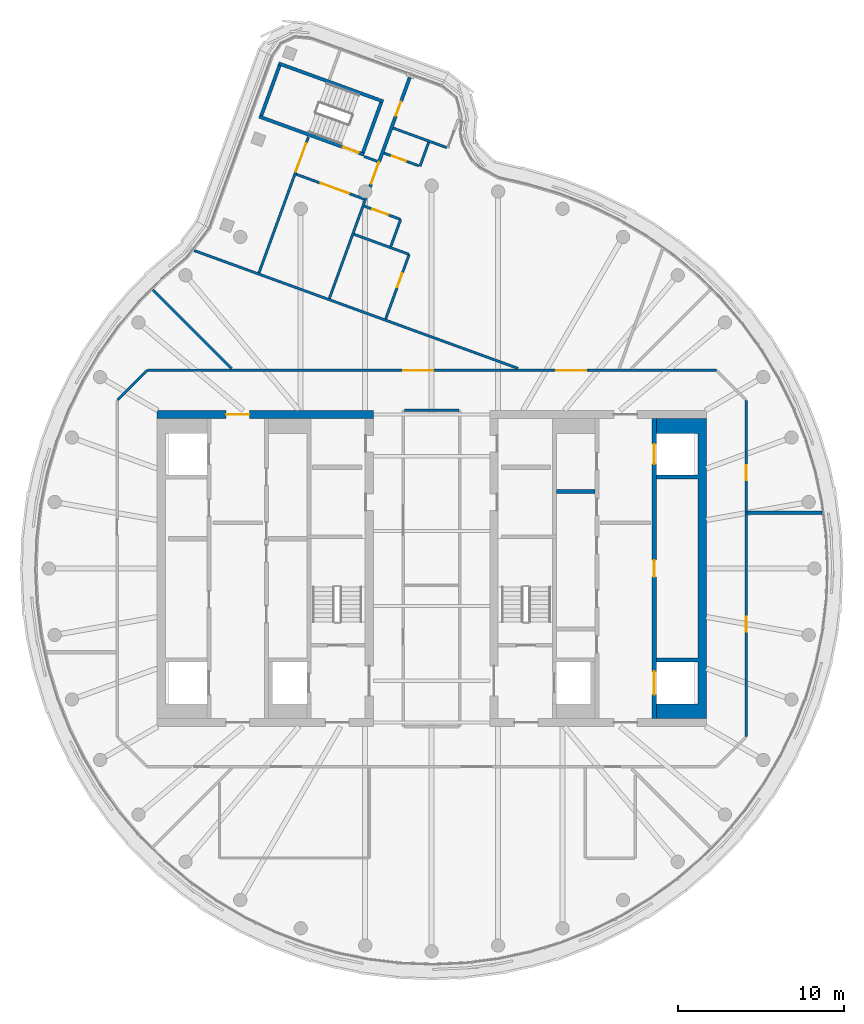
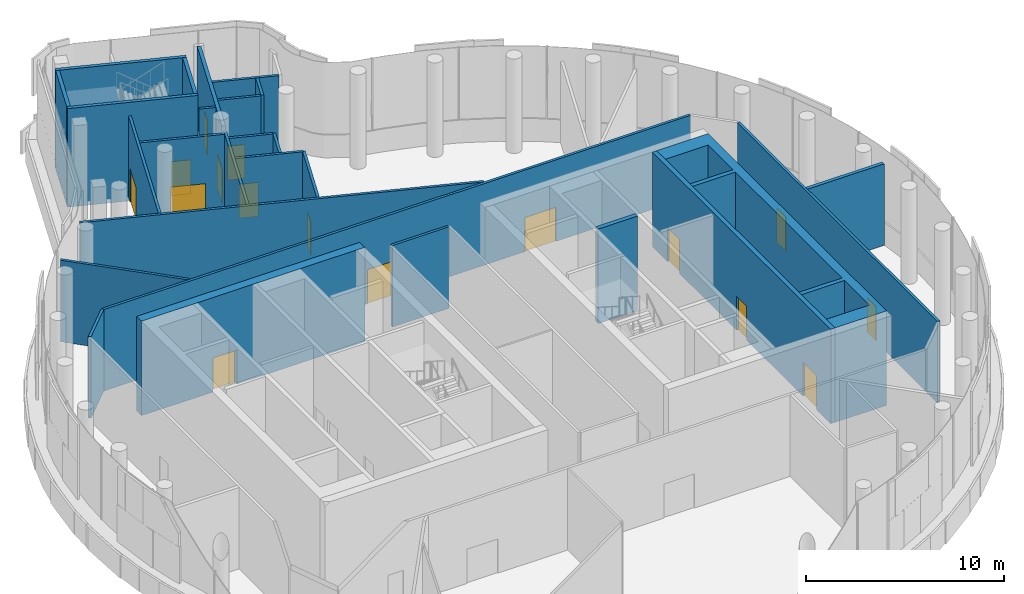
# One storey, part 13 of 18: 27 walls, 16 doors, 16 openings.
"""IFC4 building model written with IfcOpenShell, lengths in metres."""

from ifc_helpers import new_model, si_unit, direction, frame, frame_2d, origin, place, context, subcontext, project, spatial, polyline, rectangle, outline, extrude, material, layer, layer_set, type_object, element, fill, save


model = new_model("IFC4")

# Units and contexts
model_context = context("Model", 3, precision=1e-05, world=origin(), true_north=direction((0.0, 1.0)))
body_context = subcontext(model_context, "Body", "Model", "MODEL_VIEW")
ifc_project = project(units=[si_unit("LENGTHUNIT", "METRE"), si_unit("AREAUNIT", "SQUARE_METRE"), si_unit("VOLUMEUNIT", "CUBIC_METRE"), si_unit("PLANEANGLEUNIT", "RADIAN"), si_unit("MASSUNIT", "GRAM", prefix="KILO")], contexts=[model_context])

# Site, building, storey
site_placement = place(None, origin())
site = spatial("IfcSite", under=ifc_project, at=site_placement, CompositionType="ELEMENT")
building_placement = place(site_placement, origin())
building = spatial("IfcBuilding", under=site, at=building_placement, Name="Tamarind Cross Interchange Tower", CompositionType="ELEMENT")
storey_placement = place(building_placement, frame((0.0, 0.0, 299.39990234375)))
storey = spatial("IfcBuildingStorey", under=building, at=storey_placement, Name="L74", CompositionType="ELEMENT", Elevation=299.39990234375)

# Wall, opening, door
ifc_material_1 = material(Name="Concrete C50", Category="concrete")
ifc_layer_1 = layer(ifc_material_1, 0.5)
ifc_layer_set_1 = layer_set([ifc_layer_1], Name="Concrete C50")
wall_type_1 = type_object("IfcWallType", Name="Core wall 500 mm Concrete C50", PredefinedType="SHEAR", material=ifc_layer_set_1)
wall_1_placement = place(storey_placement, frame((-16.5, 9.25, 0.0), z_axis=(0.0, 0.0, 1.0), x_axis=(1.0, 0.0, 0.0)))
wall_1 = element("IfcWall", 1, at=wall_1_placement, inside=storey, type_object=wall_type_1, Name="Core wall CWL-L74-W-N", PredefinedType="SHEAR", context=body_context, shape_type="SweptSolid", body=[
    extrude(rectangle(XDim=13.0, YDim=0.5, at=frame_2d((6.5, 0.0))), origin(), (0.0, 0.0, 1.0), 5.820068359375),
])
opening_1_placement = place(wall_1_placement, frame((4.14990234375, 0.0, 0.0)))
opening_1 = element("IfcOpeningElement", 2, at=opening_1_placement, cuts=wall_1, Name="Opening DCW3", PredefinedType="OPENING", context=body_context, shape_type="SweptSolid", body=[
    extrude(rectangle(XDim=1.39990234375, YDim=2.10009765625, at=frame_2d((0.699951171875, 1.050048828125))), frame((0.0, 0.260009765625, 0.0), z_axis=(0.0, -1.0, 0.0), x_axis=(1.0, 0.0, 0.0)), (0.0, 0.0, 1.0), 0.52001953125),
])
ifc_material_2 = material(Name="Steel, fire-resisting", Category="steel")
door_type_1 = type_object("IfcDoorType", Name="Core fire door 1400 x 2100 FD90", OperationType="SINGLE_SWING_LEFT", PredefinedType="DOOR", material=ifc_material_2)
door_1_placement = place(opening_1_placement, origin())
door_1 = element("IfcDoor", 3, at=door_1_placement, inside=storey, type_object=door_type_1, Name="L74 observation lobby door", OperationType="SINGLE_SWING_LEFT", OverallHeight=2.10009765625, OverallWidth=1.39990234375, PredefinedType="DOOR", context=body_context, shape_type="SweptSolid", body=[
    extrude(rectangle(XDim=1.39990234375, YDim=2.10009765625, at=frame_2d((0.699951171875, 1.050048828125))), frame((0.0, 0.02490234375, 0.0), z_axis=(0.0, -1.0, 0.0), x_axis=(1.0, 0.0, 0.0)), (0.0, 0.0, 1.0), 0.050048828125),
])
fill(opening_1, door_1)

# Wall
wall_2_placement = place(storey_placement, origin())
element("IfcWall", 4, at=wall_2_placement, inside=storey, type_object=wall_type_1, Name="Core wall CWL-L74-E-A", PredefinedType="SHEAR", context=body_context, shape_type="SweptSolid", body=[
    extrude(outline(polyline([(13.5, -8.125), (13.5, -9.0), (16.0, -9.0), (16.5, -9.0), (16.5, 9.0), (16.0, 9.0), (13.5, 9.0), (13.5, 8.125), (16.0, 8.125), (16.0, 5.625), (13.5, 5.625), (13.5, 5.375), (16.0, 5.375), (16.0, -5.375), (13.5, -5.375), (13.5, -5.625), (16.0, -5.625), (16.0, -8.125), (13.5, -8.125)])), origin(), (0.0, 0.0, 1.0), 5.820068359375),
])

# Wall, openings, doors
ifc_layer_2 = layer(ifc_material_1, 0.25)
ifc_layer_set_2 = layer_set([ifc_layer_2], Name="Concrete C50")
wall_type_2 = type_object("IfcWallType", Name="Core web wall 250 mm Concrete C50", PredefinedType="SHEAR", material=ifc_layer_set_2)
wall_3_placement = place(storey_placement, frame((13.375, -9.0, 0.0), z_axis=(0.0, 0.0, 1.0), x_axis=(0.0, 1.0, 0.0)))
wall_3 = element("IfcWall", 5, at=wall_3_placement, inside=storey, type_object=wall_type_2, Name="Core wall CWL-L74-E-LA", PredefinedType="SHEAR", context=body_context, shape_type="SweptSolid", body=[
    extrude(rectangle(XDim=18.0, YDim=0.25, at=frame_2d((9.0, 0.0))), origin(), (0.0, 0.0, 1.0), 5.820068359375),
])
opening_2_placement = place(wall_3_placement, frame((1.425048828125, 0.0, 0.0)))
opening_2 = element("IfcOpeningElement", 6, at=opening_2_placement, cuts=wall_3, Name="Opening LD13L74", PredefinedType="OPENING", context=body_context, shape_type="SweptSolid", body=[
    extrude(rectangle(XDim=1.39990234375, YDim=2.10009765625, at=frame_2d((0.699951171875, 1.050048828125))), frame((0.0, 0.135009765625, 0.0), z_axis=(0.0, -1.0, 0.0), x_axis=(1.0, 0.0, 0.0)), (0.0, 0.0, 1.0), 0.27001953125),
])
opening_3_placement = place(wall_3_placement, frame((15.27490234375, 0.0, 0.0)))
opening_3 = element("IfcOpeningElement", 7, at=opening_3_placement, cuts=wall_3, Name="Opening LD18L74", PredefinedType="OPENING", context=body_context, shape_type="SweptSolid", body=[
    extrude(rectangle(XDim=1.199951171875, YDim=2.10009765625, at=frame_2d((0.60009765625, 1.050048828125))), frame((0.0, 0.135009765625, 0.0), z_axis=(0.0, -1.0, 0.0), x_axis=(1.0, 0.0, 0.0)), (0.0, 0.0, 1.0), 0.27001953125),
])
opening_4_placement = place(wall_3_placement, frame((8.5, 0.0, 0.0)))
opening_4 = element("IfcOpeningElement", 8, at=opening_4_placement, cuts=wall_3, Name="Opening DCE9", PredefinedType="OPENING", context=body_context, shape_type="SweptSolid", body=[
    extrude(rectangle(XDim=1.0, YDim=2.10009765625, at=frame_2d((0.5, 1.050048828125))), frame((0.0, 0.135009765625, 0.0), z_axis=(0.0, -1.0, 0.0), x_axis=(1.0, 0.0, 0.0)), (0.0, 0.0, 1.0), 0.27001953125),
])
door_type_2 = type_object("IfcDoorType", Name="Core fire door 1000 x 2100 FD90", OperationType="SINGLE_SWING_LEFT", PredefinedType="DOOR", material=ifc_material_2)
door_2_placement = place(opening_4_placement, origin())
door_2 = element("IfcDoor", 9, at=door_2_placement, inside=storey, type_object=door_type_2, Name="L74 Guide's room door", OperationType="SINGLE_SWING_LEFT", OverallHeight=2.10009765625, OverallWidth=1.0, PredefinedType="DOOR", context=body_context, shape_type="SweptSolid", body=[
    extrude(rectangle(XDim=1.0, YDim=2.10009765625, at=frame_2d((0.5, 1.050048828125))), frame((0.0, 0.02490234375, 0.0), z_axis=(0.0, -1.0, 0.0), x_axis=(1.0, 0.0, 0.0)), (0.0, 0.0, 1.0), 0.050048828125),
])
fill(opening_4, door_2)
ifc_material_3 = material(Name="Stainless steel panel", Category="steel")
door_type_3 = type_object("IfcDoorType", Name="Lift landing door 1200 x 2100 E 120", OperationType="SLIDING_TO_LEFT", PredefinedType="DOOR", material=ifc_material_3)
door_3_placement = place(opening_3_placement, origin())
door_3 = element("IfcDoor", 10, at=door_3_placement, inside=storey, type_object=door_type_3, Name="L74 landing door LF18", OperationType="SLIDING_TO_LEFT", OverallHeight=2.10009765625, OverallWidth=1.199951171875, PredefinedType="DOOR", context=body_context, shape_type="SweptSolid", body=[
    extrude(rectangle(XDim=1.199951171875, YDim=2.10009765625, at=frame_2d((0.60009765625, 1.050048828125))), frame((0.0, 0.02490234375, 0.0), z_axis=(0.0, -1.0, 0.0), x_axis=(1.0, 0.0, 0.0)), (0.0, 0.0, 1.0), 0.050048828125),
])
fill(opening_3, door_3)
door_type_4 = type_object("IfcDoorType", Name="Lift landing door 1400 x 2100 E 120", OperationType="SLIDING_TO_LEFT", PredefinedType="DOOR", material=ifc_material_3)
door_4_placement = place(opening_2_placement, origin())
door_4 = element("IfcDoor", 11, at=door_4_placement, inside=storey, type_object=door_type_4, Name="L74 landing door LF13", OperationType="SLIDING_TO_LEFT", OverallHeight=2.10009765625, OverallWidth=1.39990234375, PredefinedType="DOOR", context=body_context, shape_type="SweptSolid", body=[
    extrude(rectangle(XDim=1.39990234375, YDim=2.10009765625, at=frame_2d((0.699951171875, 1.050048828125))), frame((0.0, 0.02490234375, 0.0), z_axis=(0.0, -1.0, 0.0), x_axis=(1.0, 0.0, 0.0)), (0.0, 0.0, 1.0), 0.050048828125),
])
fill(opening_2, door_4)

# Walls
ifc_material_4 = material(Name="Gypsum board partition on steel studs", Category="steel")
ifc_layer_3 = layer(ifc_material_4, 0.14990234375)
ifc_layer_set_3 = layer_set([ifc_layer_3], Name="Gypsum board partition on steel studs")
wall_type_3 = type_object("IfcWallType", Name="Partition 150 mm EI 120", PredefinedType="PARTITIONING", material=ifc_layer_set_3)
wall_4_placement = place(storey_placement, frame((-16.740478515625, 16.740478515625, 0.0), z_axis=(0.0, 0.0, 1.0), x_axis=(0.707106781187, -0.707106781187, 0.0)))
element("IfcWall", 12, at=wall_4_placement, inside=storey, type_object=wall_type_3, Name="Partition L74-002", PredefinedType="PARTITIONING", context=body_context, shape_type="SweptSolid", body=[
    extrude(rectangle(XDim=6.690673828125, YDim=0.14990234375, at=frame_2d((3.34521484375, 0.0))), origin(), (0.0, 0.0, 1.0), 5.02001953125),
])
wall_5_placement = place(storey_placement, frame((-14.27099609375, 19.105712890625, 0.0), z_axis=(0.0, 0.0, 1.0), x_axis=(0.939707995486, -0.34197789873, 0.0)))
element("IfcWall", 13, at=wall_5_placement, inside=storey, type_object=wall_type_3, Name="Partition L74-005", PredefinedType="PARTITIONING", context=body_context, shape_type="SweptSolid", body=[
    extrude(rectangle(XDim=20.700439453125, YDim=0.14990234375, at=frame_2d((10.35009765625, 0.0))), origin(), (0.0, 0.0, 1.0), 5.02001953125),
])

# Wall, opening, door
wall_6_placement = place(storey_placement, frame((-8.139404296875, 23.685302734375, 0.0), z_axis=(0.0, 0.0, 1.0), x_axis=(0.939717938518, -0.341950575415, 0.0)))
wall_6 = element("IfcWall", 14, at=wall_6_placement, inside=storey, type_object=wall_type_3, Name="Partition L74-006", PredefinedType="PARTITIONING", context=body_context, shape_type="SweptSolid", body=[
    extrude(rectangle(XDim=4.34521484375, YDim=0.14990234375, at=frame_2d((2.172607421875, 0.0))), origin(), (0.0, 0.0, 1.0), 5.02001953125),
])
opening_5_placement = place(wall_6_placement, frame((1.574951171875, 0.0, 0.0)))
opening_5 = element("IfcOpeningElement", 15, at=opening_5_placement, cuts=wall_6, Name="Opening D01", PredefinedType="OPENING", context=body_context, shape_type="SweptSolid", body=[
    extrude(rectangle(XDim=1.800048828125, YDim=2.10009765625, at=frame_2d((0.89990234375, 1.050048828125))), frame((0.0, 0.0849609375, 0.0), z_axis=(0.0, -1.0, 0.0), x_axis=(1.0, 0.0, 0.0)), (0.0, 0.0, 1.0), 0.169921875),
])
ifc_material_5 = material(Name="Fire-resisting door set")
door_type_5 = type_object("IfcDoorType", Name="Interior door 1800 x 2100 FD60S", OperationType="DOUBLE_DOOR_SINGLE_SWING", PredefinedType="DOOR", material=ifc_material_5)
door_5_placement = place(opening_5_placement, frame((1.800048828125, 0.0, 0.0), z_axis=(0.0, 0.0, 1.0), x_axis=(-1.0, 0.0, 0.0)))
door_5 = element("IfcDoor", 16, at=door_5_placement, inside=storey, type_object=door_type_5, Name="Door D01", OperationType="DOUBLE_DOOR_SINGLE_SWING", OverallHeight=2.10009765625, OverallWidth=1.800048828125, PredefinedType="DOOR", context=body_context, shape_type="SweptSolid", body=[
    extrude(rectangle(XDim=1.800048828125, YDim=2.10009765625, at=frame_2d((0.89990234375, 1.050048828125))), frame((0.0, 0.02490234375, 0.0), z_axis=(0.0, -1.0, 0.0), x_axis=(1.0, 0.0, 0.0)), (0.0, 0.0, 1.0), 0.050048828125),
])
fill(opening_5, door_5)

# Wall
wall_7_placement = place(storey_placement, frame((-4.66357421875, 20.079345703125, 0.0), z_axis=(0.0, 0.0, 1.0), x_axis=(0.939632669741, -0.342184812574, 0.0)))
element("IfcWall", 17, at=wall_7_placement, inside=storey, type_object=wall_type_3, Name="Partition L74-007", PredefinedType="PARTITIONING", context=body_context, shape_type="SweptSolid", body=[
    extrude(rectangle(XDim=3.50537109375, YDim=0.14990234375, at=frame_2d((1.752685546875, 0.0))), origin(), (0.0, 0.0, 1.0), 5.02001953125),
])

# Wall, opening, door
wall_8_placement = place(storey_placement, frame((-4.047607421875, 21.770263671875, 0.0), z_axis=(0.0, 0.0, 1.0), x_axis=(0.939651079277, -0.342134256123, 0.0)))
wall_8 = element("IfcWall", 18, at=wall_8_placement, inside=storey, type_object=wall_type_3, Name="Partition L74-008", PredefinedType="PARTITIONING", context=body_context, shape_type="SweptSolid", body=[
    extrude(rectangle(XDim=2.304931640625, YDim=0.14990234375, at=frame_2d((1.15234375, 0.0))), origin(), (0.0, 0.0, 1.0), 5.02001953125),
])
opening_6_placement = place(wall_8_placement, frame((0.52490234375, 0.0, 0.0)))
opening_6 = element("IfcOpeningElement", 19, at=opening_6_placement, cuts=wall_8, Name="Opening D02", PredefinedType="OPENING", context=body_context, shape_type="SweptSolid", body=[
    extrude(rectangle(XDim=1.0, YDim=2.10009765625, at=frame_2d((0.5, 1.050048828125))), frame((0.0, 0.0849609375, 0.0), z_axis=(0.0, -1.0, 0.0), x_axis=(1.0, 0.0, 0.0)), (0.0, 0.0, 1.0), 0.169921875),
])
door_type_6 = type_object("IfcDoorType", Name="Interior door 1000 x 2100 FD60S", OperationType="SINGLE_SWING_LEFT", PredefinedType="DOOR", material=ifc_material_5)
door_6_placement = place(opening_6_placement, frame((1.0, 0.0, 0.0), z_axis=(0.0, 0.0, 1.0), x_axis=(-1.0, 0.0, 0.0)))
door_6 = element("IfcDoor", 20, at=door_6_placement, inside=storey, type_object=door_type_6, Name="Door D02", OperationType="SINGLE_SWING_LEFT", OverallHeight=2.10009765625, OverallWidth=1.0, PredefinedType="DOOR", context=body_context, shape_type="SweptSolid", body=[
    extrude(rectangle(XDim=1.0, YDim=2.10009765625, at=frame_2d((0.5, 1.050048828125))), frame((0.0, 0.02490234375, 0.0), z_axis=(0.0, -1.0, 0.0), x_axis=(1.0, 0.0, 0.0)), (0.0, 0.0, 1.0), 0.050048828125),
])
fill(opening_6, door_6)

# Wall
wall_9_placement = place(storey_placement, frame((-4.0634765625, 24.755859375, 0.0), z_axis=(0.0, 0.0, 1.0), x_axis=(0.939710329429, -0.341971485308, 0.0)))
element("IfcWall", 21, at=wall_9_placement, inside=storey, type_object=wall_type_3, Name="Partition L74-009", PredefinedType="PARTITIONING", context=body_context, shape_type="SweptSolid", body=[
    extrude(rectangle(XDim=0.858154296875, YDim=0.14990234375, at=frame_2d((0.42919921875, 0.0))), origin(), (0.0, 0.0, 1.0), 5.02001953125),
])

# Wall, opening, door
wall_10_placement = place(storey_placement, frame((-2.861083984375, 24.956787109375, 0.0), z_axis=(0.0, 0.0, 1.0), x_axis=(0.93968419655, -0.342043287836, 0.0)))
wall_10 = element("IfcWall", 22, at=wall_10_placement, inside=storey, type_object=wall_type_3, Name="Partition L74-010", PredefinedType="PARTITIONING", context=body_context, shape_type="SweptSolid", body=[
    extrude(rectangle(XDim=2.2197265625, YDim=0.14990234375, at=frame_2d((1.10986328125, 0.0))), origin(), (0.0, 0.0, 1.0), 5.02001953125),
])
opening_7_placement = place(wall_10_placement, frame((0.5, 0.0, 0.0)))
opening_7 = element("IfcOpeningElement", 23, at=opening_7_placement, cuts=wall_10, Name="Opening D03", PredefinedType="OPENING", context=body_context, shape_type="SweptSolid", body=[
    extrude(rectangle(XDim=0.89990234375, YDim=2.10009765625, at=frame_2d((0.449951171875, 1.050048828125))), frame((0.0, 0.0849609375, 0.0), z_axis=(0.0, -1.0, 0.0), x_axis=(1.0, 0.0, 0.0)), (0.0, 0.0, 1.0), 0.169921875),
])
door_type_7 = type_object("IfcDoorType", Name="Interior door 900 x 2100 FD60S", OperationType="SINGLE_SWING_LEFT", PredefinedType="DOOR", material=ifc_material_5)
door_7_placement = place(opening_7_placement, origin())
door_7 = element("IfcDoor", 24, at=door_7_placement, inside=storey, type_object=door_type_7, Name="Door D03", OperationType="SINGLE_SWING_RIGHT", OverallHeight=2.10009765625, OverallWidth=0.89990234375, PredefinedType="DOOR", context=body_context, shape_type="SweptSolid", body=[
    extrude(rectangle(XDim=0.89990234375, YDim=2.10009765625, at=frame_2d((0.449951171875, 1.050048828125))), frame((0.0, 0.02490234375, 0.0), z_axis=(0.0, -1.0, 0.0), x_axis=(1.0, 0.0, 0.0)), (0.0, 0.0, 1.0), 0.050048828125),
])
fill(opening_7, door_7)

# Wall
wall_11_placement = place(storey_placement, frame((-2.31396484375, 26.460693359375, 0.0), z_axis=(0.0, 0.0, 1.0), x_axis=(0.939653710072, -0.342127030718, 0.0)))
element("IfcWall", 25, at=wall_11_placement, inside=storey, type_object=wall_type_3, Name="Partition L74-011", PredefinedType="PARTITIONING", context=body_context, shape_type="SweptSolid", body=[
    extrude(rectangle(XDim=3.420166015625, YDim=0.14990234375, at=frame_2d((1.7099609375, 0.0))), origin(), (0.0, 0.0, 1.0), 5.02001953125),
])

# Wall, openings, doors
wall_12_placement = place(storey_placement, frame((-17.06494140625, 11.89990234375, 0.0), z_axis=(0.0, 0.0, 1.0), x_axis=(1.0, 0.0, 0.0)))
wall_12 = element("IfcWall", 26, at=wall_12_placement, inside=storey, type_object=wall_type_3, Name="Partition L74-014", PredefinedType="PARTITIONING", context=body_context, shape_type="SweptSolid", body=[
    extrude(rectangle(XDim=34.1650390625, YDim=0.14990234375, at=frame_2d((17.08251953125, 0.0))), origin(), (0.0, 0.0, 1.0), 5.02001953125),
])
opening_8_placement = place(wall_12_placement, frame((24.5439453125, 0.0, 0.0)))
opening_8 = element("IfcOpeningElement", 27, at=opening_8_placement, cuts=wall_12, Name="Opening D08", PredefinedType="OPENING", context=body_context, shape_type="SweptSolid", body=[
    extrude(rectangle(XDim=1.800048828125, YDim=2.10009765625, at=frame_2d((0.89990234375, 1.050048828125))), frame((0.0, 0.0849609375, 0.0), z_axis=(0.0, -1.0, 0.0), x_axis=(1.0, 0.0, 0.0)), (0.0, 0.0, 1.0), 0.169921875),
])
opening_9_placement = place(wall_12_placement, frame((15.364990234375, 0.0, 0.0)))
opening_9 = element("IfcOpeningElement", 28, at=opening_9_placement, cuts=wall_12, Name="Opening D09", PredefinedType="OPENING", context=body_context, shape_type="SweptSolid", body=[
    extrude(rectangle(XDim=1.800048828125, YDim=2.10009765625, at=frame_2d((0.89990234375, 1.050048828125))), frame((0.0, 0.0849609375, 0.0), z_axis=(0.0, -1.0, 0.0), x_axis=(1.0, 0.0, 0.0)), (0.0, 0.0, 1.0), 0.169921875),
])
door_8_placement = place(opening_8_placement, frame((1.800048828125, 0.0, 0.0), z_axis=(0.0, 0.0, 1.0), x_axis=(-1.0, 0.0, 0.0)))
door_8 = element("IfcDoor", 29, at=door_8_placement, inside=storey, type_object=door_type_5, Name="Door D08", OperationType="DOUBLE_DOOR_SINGLE_SWING", OverallHeight=2.10009765625, OverallWidth=1.800048828125, PredefinedType="DOOR", context=body_context, shape_type="SweptSolid", body=[
    extrude(rectangle(XDim=1.800048828125, YDim=2.10009765625, at=frame_2d((0.89990234375, 1.050048828125))), frame((0.0, 0.02490234375, 0.0), z_axis=(0.0, -1.0, 0.0), x_axis=(1.0, 0.0, 0.0)), (0.0, 0.0, 1.0), 0.050048828125),
])
fill(opening_8, door_8)
door_9_placement = place(opening_9_placement, origin())
door_9 = element("IfcDoor", 30, at=door_9_placement, inside=storey, type_object=door_type_5, Name="Door D09", OperationType="DOUBLE_DOOR_SINGLE_SWING", OverallHeight=2.10009765625, OverallWidth=1.800048828125, PredefinedType="DOOR", context=body_context, shape_type="SweptSolid", body=[
    extrude(rectangle(XDim=1.800048828125, YDim=2.10009765625, at=frame_2d((0.89990234375, 1.050048828125))), frame((0.0, 0.02490234375, 0.0), z_axis=(0.0, -1.0, 0.0), x_axis=(1.0, 0.0, 0.0)), (0.0, 0.0, 1.0), 0.050048828125),
])
fill(opening_9, door_9)

# Walls
wall_13_placement = place(storey_placement, frame((-1.639892578125, 9.5, 0.0), z_axis=(0.0, 0.0, 1.0), x_axis=(1.0, 0.0, 0.0)))
element("IfcWall", 31, at=wall_13_placement, inside=storey, type_object=wall_type_3, Name="Partition L74-019", PredefinedType="PARTITIONING", context=body_context, shape_type="SweptSolid", body=[
    extrude(rectangle(XDim=3.27978515625, YDim=0.14990234375, at=frame_2d((1.639892578125, 0.0))), origin(), (0.0, 0.0, 1.0), 5.02001953125),
])
wall_14_placement = place(storey_placement, frame((-18.87158203125, 10.12841796875, 0.0), z_axis=(0.0, 0.0, 1.0), x_axis=(0.707106781187, 0.707106781187, 0.0)))
element("IfcWall", 32, at=wall_14_placement, inside=storey, type_object=wall_type_3, Name="Partition L74-021", PredefinedType="PARTITIONING", context=body_context, shape_type="SweptSolid", body=[
    extrude(rectangle(XDim=2.50537109375, YDim=0.14990234375, at=frame_2d((1.252685546875, 0.0))), origin(), (0.0, 0.0, 1.0), 5.02001953125),
])

# Wall, opening, door
wall_15_placement = place(storey_placement, frame((-10.373291015625, 17.767578125, 0.0), z_axis=(0.0, 0.0, 1.0), x_axis=(0.342034217522, 0.939687498078, 0.0)))
wall_15 = element("IfcWall", 33, at=wall_15_placement, inside=storey, type_object=wall_type_3, Name="Partition L74-025", PredefinedType="PARTITIONING", context=body_context, shape_type="SweptSolid", body=[
    extrude(rectangle(XDim=8.6845703125, YDim=0.14990234375, at=frame_2d((4.34228515625, 0.0))), origin(), (0.0, 0.0, 1.0), 5.02001953125),
])
opening_10_placement = place(wall_15_placement, frame((6.47509765625, 0.0, 0.0)))
opening_10 = element("IfcOpeningElement", 34, at=opening_10_placement, cuts=wall_15, Name="Opening D10", PredefinedType="OPENING", context=body_context, shape_type="SweptSolid", body=[
    extrude(rectangle(XDim=1.800048828125, YDim=2.10009765625, at=frame_2d((0.89990234375, 1.050048828125))), frame((0.0, 0.0849609375, 0.0), z_axis=(0.0, -1.0, 0.0), x_axis=(1.0, 0.0, 0.0)), (0.0, 0.0, 1.0), 0.169921875),
])
door_10_placement = place(opening_10_placement, origin())
door_10 = element("IfcDoor", 35, at=door_10_placement, inside=storey, type_object=door_type_5, Name="Door D10", OperationType="DOUBLE_DOOR_SINGLE_SWING", OverallHeight=2.10009765625, OverallWidth=1.800048828125, PredefinedType="DOOR", context=body_context, shape_type="SweptSolid", body=[
    extrude(rectangle(XDim=1.800048828125, YDim=2.10009765625, at=frame_2d((0.89990234375, 1.050048828125))), frame((0.0, 0.02490234375, 0.0), z_axis=(0.0, -1.0, 0.0), x_axis=(1.0, 0.0, 0.0)), (0.0, 0.0, 1.0), 0.050048828125),
])
fill(opening_10, door_10)

# Wall
wall_16_placement = place(storey_placement, frame((-6.144287109375, 16.228515625, 0.0), z_axis=(0.0, 0.0, 1.0), x_axis=(0.341892869115, 0.93973893505, 0.0)))
element("IfcWall", 36, at=wall_16_placement, inside=storey, type_object=wall_type_3, Name="Partition L74-027", PredefinedType="PARTITIONING", context=body_context, shape_type="SweptSolid", body=[
    extrude(rectangle(XDim=6.54248046875, YDim=0.14990234375, at=frame_2d((3.271240234375, 0.0))), origin(), (0.0, 0.0, 1.0), 5.02001953125),
])

# Wall, opening, door
wall_17_placement = place(storey_placement, frame((-2.761474609375, 14.99755859375, 0.0), z_axis=(0.0, 0.0, 1.0), x_axis=(0.341985460064, 0.939705243736, 0.0)))
wall_17 = element("IfcWall", 37, at=wall_17_placement, inside=storey, type_object=wall_type_3, Name="Partition L74-029", PredefinedType="PARTITIONING", context=body_context, shape_type="SweptSolid", body=[
    extrude(rectangle(XDim=4.124267578125, YDim=0.14990234375, at=frame_2d((2.06201171875, 0.0))), origin(), (0.0, 0.0, 1.0), 5.02001953125),
])
opening_11_placement = place(wall_17_placement, frame((2.02490234375, 0.0, 0.0)))
opening_11 = element("IfcOpeningElement", 38, at=opening_11_placement, cuts=wall_17, Name="Opening D13", PredefinedType="OPENING", context=body_context, shape_type="SweptSolid", body=[
    extrude(rectangle(XDim=0.89990234375, YDim=2.10009765625, at=frame_2d((0.449951171875, 1.050048828125))), frame((0.0, 0.0849609375, 0.0), z_axis=(0.0, -1.0, 0.0), x_axis=(1.0, 0.0, 0.0)), (0.0, 0.0, 1.0), 0.169921875),
])
door_11_placement = place(opening_11_placement, origin())
door_11 = element("IfcDoor", 39, at=door_11_placement, inside=storey, type_object=door_type_7, Name="Door D13", OperationType="SINGLE_SWING_LEFT", OverallHeight=2.10009765625, OverallWidth=0.89990234375, PredefinedType="DOOR", context=body_context, shape_type="SweptSolid", body=[
    extrude(rectangle(XDim=0.89990234375, YDim=2.10009765625, at=frame_2d((0.449951171875, 1.050048828125))), frame((0.0, 0.02490234375, 0.0), z_axis=(0.0, -1.0, 0.0), x_axis=(1.0, 0.0, 0.0)), (0.0, 0.0, 1.0), 0.050048828125),
])
fill(opening_11, door_11)

# Walls
wall_18_placement = place(storey_placement, frame((-2.452392578125, 19.3544921875, 0.0), z_axis=(0.0, 0.0, 1.0), x_axis=(0.341765797908, 0.939785155969, 0.0)))
element("IfcWall", 40, at=wall_18_placement, inside=storey, type_object=wall_type_3, Name="Partition L74-031", PredefinedType="PARTITIONING", context=body_context, shape_type="SweptSolid", body=[
    extrude(rectangle(XDim=1.724365234375, YDim=0.14990234375, at=frame_2d((0.8623046875, 0.0))), origin(), (0.0, 0.0, 1.0), 5.02001953125),
])
wall_19_placement = place(storey_placement, frame((-0.700927734375, 24.17041015625, 0.0), z_axis=(0.0, 0.0, 1.0), x_axis=(0.341897280994, 0.939737329922, 0.0)))
element("IfcWall", 41, at=wall_19_placement, inside=storey, type_object=wall_type_3, Name="Partition L74-032", PredefinedType="PARTITIONING", context=body_context, shape_type="SweptSolid", body=[
    extrude(rectangle(XDim=1.525146484375, YDim=0.14990234375, at=frame_2d((0.7626953125, 0.0))), origin(), (0.0, 0.0, 1.0), 5.02001953125),
])

# Wall, openings, doors
wall_20_placement = place(storey_placement, frame((18.89990234375, -10.10009765625, 0.0), z_axis=(0.0, 0.0, 1.0), x_axis=(0.0, 1.0, 0.0)))
wall_20 = element("IfcWall", 42, at=wall_20_placement, inside=storey, type_object=wall_type_3, Name="Partition L74-041", PredefinedType="PARTITIONING", context=body_context, shape_type="SweptSolid", body=[
    extrude(rectangle(XDim=20.2001953125, YDim=0.14990234375, at=frame_2d((10.10009765625, 0.0))), origin(), (0.0, 0.0, 1.0), 5.02001953125),
])
opening_12_placement = place(wall_20_placement, frame((6.300048828125, 0.0, 0.0)))
opening_12 = element("IfcOpeningElement", 43, at=opening_12_placement, cuts=wall_20, Name="Opening D18", PredefinedType="OPENING", context=body_context, shape_type="SweptSolid", body=[
    extrude(rectangle(XDim=0.89990234375, YDim=2.10009765625, at=frame_2d((0.449951171875, 1.050048828125))), frame((0.0, 0.0849609375, 0.0), z_axis=(0.0, -1.0, 0.0), x_axis=(1.0, 0.0, 0.0)), (0.0, 0.0, 1.0), 0.169921875),
])
opening_13_placement = place(wall_20_placement, frame((15.39794921875, 0.0, 0.0)))
opening_13 = element("IfcOpeningElement", 44, at=opening_13_placement, cuts=wall_20, Name="Opening D19", PredefinedType="OPENING", context=body_context, shape_type="SweptSolid", body=[
    extrude(rectangle(XDim=0.89990234375, YDim=2.10009765625, at=frame_2d((0.449951171875, 1.050048828125))), frame((0.0, 0.0849609375, 0.0), z_axis=(0.0, -1.0, 0.0), x_axis=(1.0, 0.0, 0.0)), (0.0, 0.0, 1.0), 0.169921875),
])
door_12_placement = place(opening_12_placement, frame((0.89990234375, 0.0, 0.0), z_axis=(0.0, 0.0, 1.0), x_axis=(-1.0, 0.0, 0.0)))
door_12 = element("IfcDoor", 45, at=door_12_placement, inside=storey, type_object=door_type_7, Name="Door D18", OperationType="SINGLE_SWING_LEFT", OverallHeight=2.10009765625, OverallWidth=0.89990234375, PredefinedType="DOOR", context=body_context, shape_type="SweptSolid", body=[
    extrude(rectangle(XDim=0.89990234375, YDim=2.10009765625, at=frame_2d((0.449951171875, 1.050048828125))), frame((0.0, 0.02490234375, 0.0), z_axis=(0.0, -1.0, 0.0), x_axis=(1.0, 0.0, 0.0)), (0.0, 0.0, 1.0), 0.050048828125),
])
fill(opening_12, door_12)
door_13_placement = place(opening_13_placement, frame((0.89990234375, 0.0, 0.0), z_axis=(0.0, 0.0, 1.0), x_axis=(-1.0, 0.0, 0.0)))
door_13 = element("IfcDoor", 46, at=door_13_placement, inside=storey, type_object=door_type_7, Name="Door D19", OperationType="SINGLE_SWING_RIGHT", OverallHeight=2.10009765625, OverallWidth=0.89990234375, PredefinedType="DOOR", context=body_context, shape_type="SweptSolid", body=[
    extrude(rectangle(XDim=0.89990234375, YDim=2.10009765625, at=frame_2d((0.449951171875, 1.050048828125))), frame((0.0, 0.02490234375, 0.0), z_axis=(0.0, -1.0, 0.0), x_axis=(1.0, 0.0, 0.0)), (0.0, 0.0, 1.0), 0.050048828125),
])
fill(opening_13, door_13)

# Wall
ifc_layer_4 = layer(ifc_material_4, 0.199951171875)
ifc_layer_set_4 = layer_set([ifc_layer_4], Name="Gypsum board partition on steel studs")
wall_type_4 = type_object("IfcWallType", Name="Partition 200 mm EI 180", PredefinedType="PARTITIONING", material=ifc_layer_set_4)
wall_21_placement = place(storey_placement, frame((18.955078125, 3.347900390625, 0.0), z_axis=(0.0, 0.0, 1.0), x_axis=(1.0, 0.0, 0.0)))
element("IfcWall", 47, at=wall_21_placement, inside=storey, type_object=wall_type_4, Name="Partition L74-020", PredefinedType="PARTITIONING", context=body_context, shape_type="SweptSolid", body=[
    extrude(rectangle(XDim=4.483642578125, YDim=0.199951171875, at=frame_2d((2.24169921875, 0.0))), origin(), (0.0, 0.0, 1.0), 5.02001953125),
])

# Wall, openings, doors
wall_22_placement = place(storey_placement, frame((-3.753662109375, 22.799560546875, 0.0), z_axis=(0.0, 0.0, 1.0), x_axis=(0.341899737301, 0.939736436259, 0.0)))
wall_22 = element("IfcWall", 48, at=wall_22_placement, inside=storey, type_object=wall_type_4, Name="Partition L74-028", PredefinedType="PARTITIONING", context=body_context, shape_type="SweptSolid", body=[
    extrude(rectangle(XDim=7.13134765625, YDim=0.199951171875, at=frame_2d((3.565673828125, 0.0))), origin(), (0.0, 0.0, 1.0), 5.02001953125),
])
opening_14_placement = place(wall_22_placement, frame((0.332275390625, 0.0, 0.0)))
opening_14 = element("IfcOpeningElement", 49, at=opening_14_placement, cuts=wall_22, Name="Opening D11", PredefinedType="OPENING", context=body_context, shape_type="SweptSolid", body=[
    extrude(rectangle(XDim=1.39990234375, YDim=2.10009765625, at=frame_2d((0.699951171875, 1.050048828125))), frame((0.0, 0.10986328125, 0.0), z_axis=(0.0, -1.0, 0.0), x_axis=(1.0, 0.0, 0.0)), (0.0, 0.0, 1.0), 0.219970703125),
])
opening_15_placement = place(wall_22_placement, frame((4.6826171875, 0.0, 0.0)))
opening_15 = element("IfcOpeningElement", 50, at=opening_15_placement, cuts=wall_22, Name="Opening D12", PredefinedType="OPENING", context=body_context, shape_type="SweptSolid", body=[
    extrude(rectangle(XDim=0.89990234375, YDim=2.10009765625, at=frame_2d((0.449951171875, 1.050048828125))), frame((0.0, 0.10986328125, 0.0), z_axis=(0.0, -1.0, 0.0), x_axis=(1.0, 0.0, 0.0)), (0.0, 0.0, 1.0), 0.219970703125),
])
door_type_8 = type_object("IfcDoorType", Name="Interior door 1400 x 2100 FD120S", OperationType="DOUBLE_DOOR_SINGLE_SWING", PredefinedType="DOOR", material=ifc_material_5)
door_14_placement = place(opening_14_placement, frame((1.39990234375, 0.0, 0.0), z_axis=(0.0, 0.0, 1.0), x_axis=(-1.0, 0.0, 0.0)))
door_14 = element("IfcDoor", 51, at=door_14_placement, inside=storey, type_object=door_type_8, Name="Door D11", OperationType="DOUBLE_DOOR_SINGLE_SWING", OverallHeight=2.10009765625, OverallWidth=1.39990234375, PredefinedType="DOOR", context=body_context, shape_type="SweptSolid", body=[
    extrude(rectangle(XDim=1.39990234375, YDim=2.10009765625, at=frame_2d((0.699951171875, 1.050048828125))), frame((0.0, 0.02490234375, 0.0), z_axis=(0.0, -1.0, 0.0), x_axis=(1.0, 0.0, 0.0)), (0.0, 0.0, 1.0), 0.050048828125),
])
fill(opening_14, door_14)
door_type_9 = type_object("IfcDoorType", Name="Interior door 900 x 2100 FD120S", OperationType="SINGLE_SWING_LEFT", PredefinedType="DOOR", material=ifc_material_5)
door_15_placement = place(opening_15_placement, origin())
door_15 = element("IfcDoor", 52, at=door_15_placement, inside=storey, type_object=door_type_9, Name="Door D12", OperationType="SINGLE_SWING_LEFT", OverallHeight=2.10009765625, OverallWidth=0.89990234375, PredefinedType="DOOR", context=body_context, shape_type="SweptSolid", body=[
    extrude(rectangle(XDim=0.89990234375, YDim=2.10009765625, at=frame_2d((0.449951171875, 1.050048828125))), frame((0.0, 0.02490234375, 0.0), z_axis=(0.0, -1.0, 0.0), x_axis=(1.0, 0.0, 0.0)), (0.0, 0.0, 1.0), 0.050048828125),
])
fill(opening_15, door_15)

# Wall
ifc_material_6 = material(Name="Concrete C40", Category="concrete")
ifc_layer_5 = layer(ifc_material_6, 0.25)
ifc_layer_set_5 = layer_set([ifc_layer_5], Name="Concrete C40")
wall_type_5 = type_object("IfcWallType", Name="Shaft and lobby wall 250 mm Concrete C40", PredefinedType="PARTITIONING", material=ifc_layer_set_5)
wall_23_placement = place(storey_placement, frame((9.800048828125, 4.625, 0.0), z_axis=(0.0, 0.0, 1.0), x_axis=(-1.0, 0.0, 0.0)))
element("IfcWall", 53, at=wall_23_placement, inside=storey, type_object=wall_type_5, Name="Shaft wall CWL-L74-E-FPB4", PredefinedType="PARTITIONING", context=body_context, shape_type="SweptSolid", body=[
    extrude(rectangle(XDim=2.300048828125, YDim=0.25, at=frame_2d((1.14990234375, 0.0))), origin(), (0.0, 0.0, 1.0), 5.820068359375),
])

# Wall, opening, door
ifc_layer_6 = layer(ifc_material_6, 0.199951171875)
ifc_layer_set_6 = layer_set([ifc_layer_6], Name="Concrete C40")
wall_type_6 = type_object("IfcWallType", Name="Stair shaft wall 200 mm Concrete C40", PredefinedType="SHEAR", material=ifc_layer_set_6)
wall_24_placement = place(storey_placement, frame((-4.06591796875, 24.86328125, -0.25), z_axis=(0.0, 0.0, 1.0), x_axis=(-0.939709347419, 0.341974183781, 0.0)))
wall_24 = element("IfcWall", 54, at=wall_24_placement, inside=storey, type_object=wall_type_6, Name="Core wall CWL-L74-ST4-H", PredefinedType="SHEAR", context=body_context, shape_type="SweptSolid", body=[
    extrude(rectangle(XDim=6.7001953125, YDim=0.199951171875, at=frame_2d((3.35009765625, 0.0))), origin(), (0.0, 0.0, 1.0), 6.070068359375),
])
opening_16_placement = place(wall_24_placement, frame((0.35009765625, 0.0, 0.0)))
opening_16 = element("IfcOpeningElement", 55, at=opening_16_placement, cuts=wall_24, Name="Opening ST4L74", PredefinedType="OPENING", context=body_context, shape_type="SweptSolid", body=[
    extrude(rectangle(XDim=1.0, YDim=2.10009765625, at=frame_2d((0.5, 1.050048828125))), frame((0.0, 0.10986328125, 0.0), z_axis=(0.0, -1.0, 0.0), x_axis=(1.0, 0.0, 0.0)), (0.0, 0.0, 1.0), 0.219970703125),
])
door_16_placement = place(opening_16_placement, origin())
door_16 = element("IfcDoor", 56, at=door_16_placement, inside=storey, type_object=door_type_2, Name="L74 stair door ST4", OperationType="SINGLE_SWING_LEFT", OverallHeight=2.10009765625, OverallWidth=1.0, PredefinedType="DOOR", context=body_context, shape_type="SweptSolid", body=[
    extrude(rectangle(XDim=1.0, YDim=2.10009765625, at=frame_2d((0.5, 1.050048828125))), frame((0.0, 0.02490234375, 0.0), z_axis=(0.0, -1.0, 0.0), x_axis=(1.0, 0.0, 0.0)), (0.0, 0.0, 1.0), 0.050048828125),
])
fill(opening_16, door_16)

# Walls
wall_25_placement = place(storey_placement, frame((-2.9033203125, 28.05810546875, -0.25), z_axis=(0.0, 0.0, 1.0), x_axis=(-0.939693375008, 0.342018071111, 0.0)))
element("IfcWall", 57, at=wall_25_placement, inside=storey, type_object=wall_type_6, Name="Core wall CWL-L74-ST4-C", PredefinedType="SHEAR", context=body_context, shape_type="SweptSolid", body=[
    extrude(rectangle(XDim=6.699951171875, YDim=0.199951171875, at=frame_2d((3.35009765625, 0.0))), origin(), (0.0, 0.0, 1.0), 6.070068359375),
])
wall_26_placement = place(storey_placement, frame((-3.031494140625, 27.998291015625, -0.25), z_axis=(0.0, 0.0, 1.0), x_axis=(-0.341975850632, -0.939708740826, 0.0)))
element("IfcWall", 58, at=wall_26_placement, inside=storey, type_object=wall_type_6, Name="Core wall CWL-L74-ST4-CE", PredefinedType="SHEAR", context=body_context, shape_type="SweptSolid", body=[
    extrude(rectangle(XDim=3.19970703125, YDim=0.199951171875, at=frame_2d((1.599853515625, 0.0))), origin(), (0.0, 0.0, 1.0), 6.070068359375),
])
wall_27_placement = place(storey_placement, frame((0.0, 0.0, -0.25)))
element("IfcWall", 59, at=wall_27_placement, inside=storey, type_object=wall_type_6, Name="Core wall CWL-L74-ST4-CF", PredefinedType="SHEAR", context=body_context, shape_type="SweptSolid", body=[
    extrude(outline(polyline([(-9.04541015625, 30.187255859375), (-9.2333984375, 30.255615234375), (-10.327880859375, 27.24853515625), (-10.139892578125, 27.18017578125), (-9.04541015625, 30.187255859375)])), origin(), (0.0, 0.0, 1.0), 6.070068359375),
])

save(model, "model.ifc")
